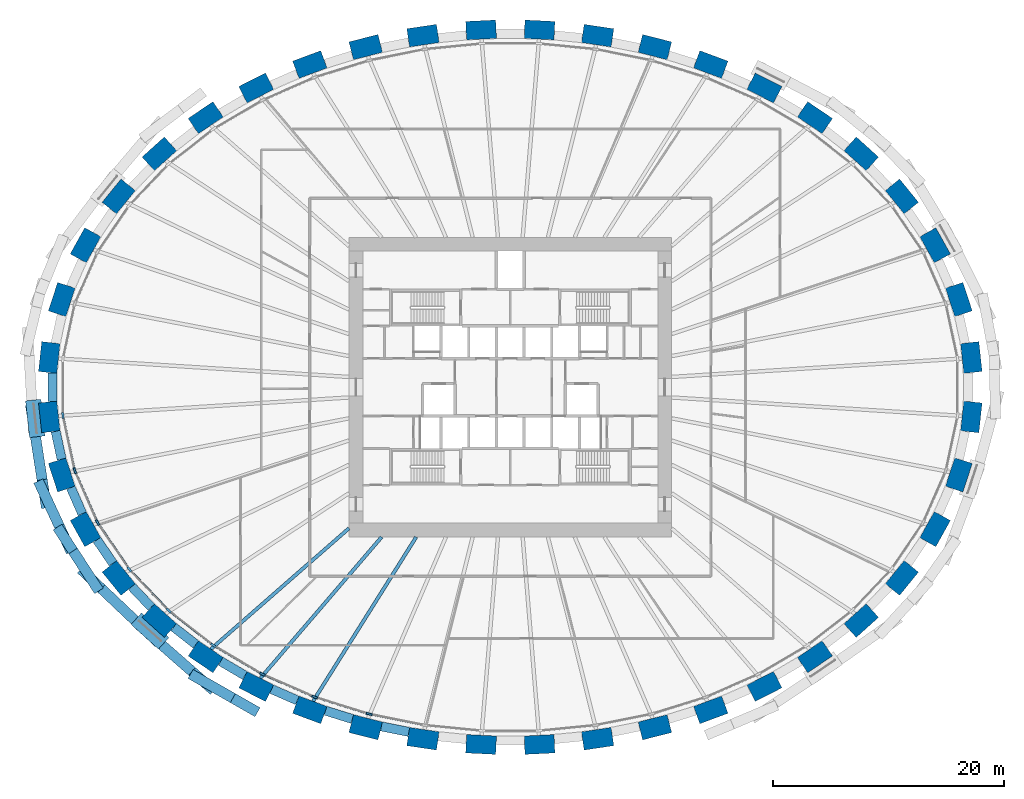
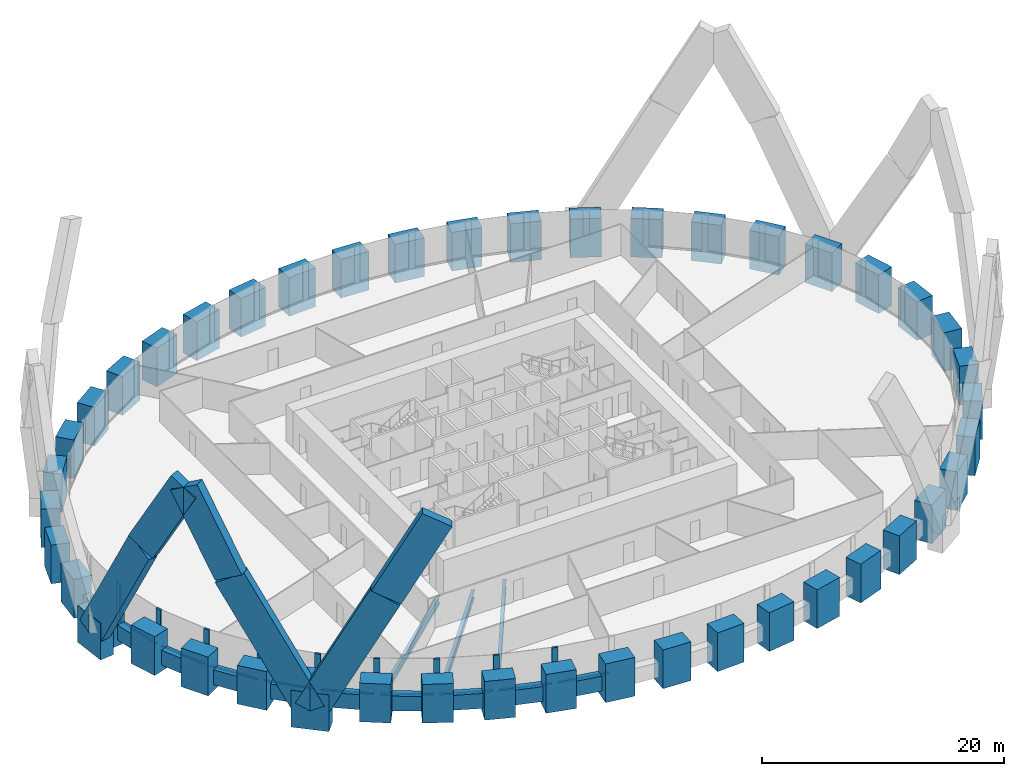
# One storey, part 1 of 12: 44 columns, 26 members, 13 beams, 1 element without a shape of its own.
"""IFC4 building model written with IfcOpenShell, lengths in metres."""

from ifc_helpers import new_model, si_unit, direction, frame, origin, origin_2d, place, context, subcontext, project, spatial, rectangle, i_section, extrude, source, transform, mapped, material, material_profile, profile_set, type_object, element, aggregate, save


model = new_model("IFC4")

# Units and contexts
model_context = context("Model", 3, precision=1e-05, world=origin(), true_north=direction((0.0, 1.0)))
body_context = subcontext(model_context, "Body", "Model", "MODEL_VIEW")
ifc_project = project(units=[si_unit("LENGTHUNIT", "METRE"), si_unit("AREAUNIT", "SQUARE_METRE"), si_unit("VOLUMEUNIT", "CUBIC_METRE"), si_unit("PLANEANGLEUNIT", "RADIAN"), si_unit("MASSUNIT", "GRAM", prefix="KILO")], contexts=[model_context])

# Site, building, storey
site_placement = place(None, origin())
site = spatial("IfcSite", under=ifc_project, at=site_placement, CompositionType="ELEMENT")
building_placement = place(site_placement, origin())
building = spatial("IfcBuilding", under=site, at=building_placement, Name="Embergate Tower", CompositionType="ELEMENT")
storey_placement = place(building_placement, frame((0.0, 0.0, 45.800048828125)))
storey = spatial("IfcBuildingStorey", under=building, at=storey_placement, Name="L07", CompositionType="ELEMENT", Elevation=45.800048828125)

# Columns
ifc_material_1 = material(Name="Concrete C70", Category="concrete")
ifc_material_profile_1 = material_profile(ifc_material_1, rectangle(XDim=1.60009765625, YDim=2.60009765625, at=origin_2d()), Name="RC 1600x2600")
ifc_profile_set_1 = profile_set([ifc_material_profile_1], Name="Concrete C70")
column_type = type_object("IfcColumnType", Name="Ring column RC 1600x2600 C70", PredefinedType="COLUMN", material=ifc_profile_set_1)
shared_shape_1 = source(origin(), body_context, "Body", "SweptSolid", [
    extrude(rectangle(XDim=1.60009765625, YDim=2.60009765625, at=origin_2d()), origin(), (0.0, 0.0, 1.0), 3.900146484375),
])
for number, where, z_axis, x_axis, name in (
    (1, (39.9951171875, 2.575927734375, -1.400146484375), (0.0, 0.0, 1.0), (0.99428589498, 0.106749983816, 0.0), "COL-L07-00"),
    (2, (38.912109375, 7.60693359375, -1.400146484375), (0.0, 0.0, 1.0), (0.950754033697, 0.309946394413, 0.0), "COL-L07-01"),
    (3, (36.85009765625, 12.31103515625, -1.400146484375), (0.0, 0.0, 1.0), (0.873491969053, 0.486838556403, 0.0), "COL-L07-02"),
    (4, (33.968994140625, 16.548095703125, -1.400146484375), (0.0, 0.0, 1.0), (0.775914301615, 0.630838328377, 0.0), "COL-L07-03"),
    (5, (30.444091796875, 20.2451171875, -1.400146484375), (0.0, 0.0, 1.0), (0.669208424634, 0.74307475021, 0.0), "COL-L07-04"),
    (6, (26.426025390625, 23.381103515625, -1.400146484375), (0.0, 0.0, 1.0), (0.560393279442, 0.828226643109, 0.0), "COL-L07-05"),
    (7, (22.0419921875, 25.958984375, -1.400146484375), (0.0, 0.0, 1.0), (0.452994952881, 0.891513080478, 0.0), "COL-L07-06"),
    (8, (17.388916015625, 27.992919921875, -1.400146484375), (0.0, 0.0, 1.0), (0.348343015724, 0.93736713373, 0.0), "COL-L07-07"),
    (9, (12.544921875, 29.501953125, -1.400146484375), (0.0, 0.0, 1.0), (0.246491603437, 0.969144926951, 0.0), "COL-L07-08"),
    (10, (7.574951171875, 30.498046875, -1.400146484375), (0.0, 0.0, 1.0), (0.146929011949, 0.989147039346, 0.0), "COL-L07-09"),
    (11, (2.532958984375, 30.993896484375, -1.400146484375), (0.0, 0.0, 1.0), (0.048814904854, 0.998807841912, 0.0), "COL-L07-10"),
    (12, (-2.532958984375, 30.993896484375, -1.400146484375), (0.0, 0.0, 1.0), (-0.048814904854, 0.998807841912, 0.0), "COL-L07-11"),
    (13, (-7.574951171875, 30.498046875, -1.400146484375), (0.0, 0.0, 1.0), (-0.146929011949, 0.989147039346, 0.0), "COL-L07-12"),
    (14, (-12.544921875, 29.501953125, -1.400146484375), (0.0, 0.0, 1.0), (-0.246491603437, 0.969144926951, 0.0), "COL-L07-13"),
    (15, (-17.388916015625, 27.992919921875, -1.400146484375), (0.0, 0.0, 1.0), (-0.348343015724, 0.93736713373, 0.0), "COL-L07-14"),
    (16, (-22.0419921875, 25.958984375, -1.400146484375), (0.0, 0.0, 1.0), (-0.452994952881, 0.891513080478, 0.0), "COL-L07-15"),
    (17, (-26.426025390625, 23.381103515625, -1.400146484375), (0.0, 0.0, 1.0), (-0.560393279442, 0.828226643109, 0.0), "COL-L07-16"),
    (18, (-30.444091796875, 20.2451171875, -1.400146484375), (0.0, 0.0, 1.0), (-0.669208424634, 0.74307475021, 0.0), "COL-L07-17"),
    (19, (-33.968994140625, 16.548095703125, -1.400146484375), (0.0, 0.0, 1.0), (-0.775914301615, 0.630838328377, 0.0), "COL-L07-18"),
    (20, (-36.85009765625, 12.31103515625, -1.400146484375), (0.0, 0.0, 1.0), (-0.873491969053, 0.486838556403, 0.0), "COL-L07-19"),
    (21, (-38.912109375, 7.60693359375, -1.400146484375), (0.0, 0.0, 1.0), (-0.950754033697, 0.309946394413, 0.0), "COL-L07-20"),
    (22, (-39.9951171875, 2.575927734375, -1.400146484375), (0.0, 0.0, 1.0), (-0.99428589498, 0.106749983816, 0.0), "COL-L07-21"),
    (23, (-39.9951171875, -2.575927734375, -1.400146484375), (0.0, 0.0, 1.0), (-0.99428589498, -0.106749983816, 0.0), "COL-L07-22"),
    (24, (-38.912109375, -7.60693359375, -1.400146484375), (0.0, 0.0, 1.0), (-0.950754033697, -0.309946394413, 0.0), "COL-L07-23"),
    (25, (-36.85009765625, -12.31103515625, -1.400146484375), (0.0, 0.0, 1.0), (-0.873491969053, -0.486838556403, 0.0), "COL-L07-24"),
    (26, (-33.968994140625, -16.548095703125, -1.400146484375), (0.0, 0.0, 1.0), (-0.775914301615, -0.630838328377, 0.0), "COL-L07-25"),
    (27, (-30.444091796875, -20.2451171875, -1.400146484375), (0.0, 0.0, 1.0), (-0.669208424634, -0.74307475021, 0.0), "COL-L07-26"),
    (28, (-26.426025390625, -23.381103515625, -1.400146484375), (0.0, 0.0, 1.0), (-0.560393279442, -0.828226643109, 0.0), "COL-L07-27"),
    (29, (-22.0419921875, -25.958984375, -1.400146484375), (0.0, 0.0, 1.0), (-0.452994952881, -0.891513080478, 0.0), "COL-L07-28"),
    (30, (-17.388916015625, -27.992919921875, -1.400146484375), (0.0, 0.0, 1.0), (-0.348343015724, -0.93736713373, 0.0), "COL-L07-29"),
    (31, (-12.544921875, -29.501953125, -1.400146484375), (0.0, 0.0, 1.0), (-0.246491603437, -0.969144926951, 0.0), "COL-L07-30"),
    (32, (-7.574951171875, -30.498046875, -1.400146484375), (0.0, 0.0, 1.0), (-0.146929011949, -0.989147039346, 0.0), "COL-L07-31"),
    (33, (-2.532958984375, -30.993896484375, -1.400146484375), (0.0, 0.0, 1.0), (-0.048814904854, -0.998807841912, 0.0), "COL-L07-32"),
    (34, (2.532958984375, -30.993896484375, -1.400146484375), (0.0, 0.0, 1.0), (0.048814904854, -0.998807841912, 0.0), "COL-L07-33"),
    (35, (7.574951171875, -30.498046875, -1.400146484375), (0.0, 0.0, 1.0), (0.146929011949, -0.989147039346, 0.0), "COL-L07-34"),
    (36, (12.544921875, -29.501953125, -1.400146484375), (0.0, 0.0, 1.0), (0.246491603437, -0.969144926951, 0.0), "COL-L07-35"),
    (37, (17.388916015625, -27.992919921875, -1.400146484375), (0.0, 0.0, 1.0), (0.348343015724, -0.93736713373, 0.0), "COL-L07-36"),
    (38, (22.0419921875, -25.958984375, -1.400146484375), (0.0, 0.0, 1.0), (0.452994952881, -0.891513080478, 0.0), "COL-L07-37"),
    (39, (26.426025390625, -23.381103515625, -1.400146484375), (0.0, 0.0, 1.0), (0.560393279442, -0.828226643109, 0.0), "COL-L07-38"),
    (40, (30.444091796875, -20.2451171875, -1.400146484375), (0.0, 0.0, 1.0), (0.669208424634, -0.74307475021, 0.0), "COL-L07-39"),
    (41, (33.968994140625, -16.548095703125, -1.400146484375), (0.0, 0.0, 1.0), (0.775914301615, -0.630838328377, 0.0), "COL-L07-40"),
    (42, (36.85009765625, -12.31103515625, -1.400146484375), (0.0, 0.0, 1.0), (0.873491969053, -0.486838556403, 0.0), "COL-L07-41"),
    (43, (38.912109375, -7.60693359375, -1.400146484375), (0.0, 0.0, 1.0), (0.950754033697, -0.309946394413, 0.0), "COL-L07-42"),
    (44, (39.9951171875, -2.575927734375, -1.400146484375), (0.0, 0.0, 1.0), (0.99428589498, -0.106749983816, 0.0), "COL-L07-43"),
):
    element("IfcColumn", number, at=place(storey_placement, frame(where, z_axis=z_axis, x_axis=x_axis)), inside=storey, type_object=column_type, Name=name, PredefinedType="COLUMN", context=body_context, shape_type="MappedRepresentation", body=[
        mapped(shared_shape_1, transform((0.0, 0.0, 0.0))),
    ])

# Beams
ifc_material_profile_2 = material_profile(ifc_material_1, rectangle(XDim=0.800048828125, YDim=1.5, at=origin_2d()), Name="RC 800x1500")
ifc_profile_set_2 = profile_set([ifc_material_profile_2], Name="Concrete C70")
beam_type_1 = type_object("IfcBeamType", Name="Spandrel beam RC 800x1500 C70", PredefinedType="BEAM", material=ifc_profile_set_2)
shared_shape_2 = source(origin(), body_context, "Body", "SweptSolid", [
    extrude(rectangle(XDim=0.800048828125, YDim=1.5, at=origin_2d()), origin(), (0.0, 0.0, 1.0), 2.431396484375),
])
beam_1_placement = place(storey_placement, frame((-11.18505859375, -29.428955078125, 0.0), z_axis=(0.980484010726, -0.196598842089, 0.0), x_axis=(0.196598842089, 0.980484010726, 0.0)))
element("IfcBeam", 45, at=beam_1_placement, inside=storey, type_object=beam_type_1, Name="SPN-L07-30", PredefinedType="BEAM", context=body_context, shape_type="MappedRepresentation", body=[
    mapped(shared_shape_2, transform((0.0, 0.0, 0.0))),
])
shared_shape_3 = source(origin(), body_context, "Body", "SweptSolid", [
    extrude(rectangle(XDim=0.800048828125, YDim=1.5, at=origin_2d()), origin(), (0.0, 0.0, 1.0), 2.43408203125),
])
beam_2_placement = place(storey_placement, frame((-16.028076171875, -28.06201171875, 0.0), z_axis=(0.954756195808, -0.297389654436, 0.0), x_axis=(0.297389654436, 0.954756195808, 0.0)))
element("IfcBeam", 46, at=beam_2_placement, inside=storey, type_object=beam_type_1, Name="SPN-L07-29", PredefinedType="BEAM", context=body_context, shape_type="MappedRepresentation", body=[
    mapped(shared_shape_3, transform((0.0, 0.0, 0.0))),
])
shared_shape_4 = source(origin(), body_context, "Body", "SweptSolid", [
    extrude(rectangle(XDim=0.800048828125, YDim=1.5, at=origin_2d()), origin(), (0.0, 0.0, 1.0), 2.47412109375),
])
beam_3_placement = place(storey_placement, frame((-39.444091796875, -3.823974609375, 0.0), z_axis=(0.210175960292, -0.977663574915, 0.0), x_axis=(0.977663574915, 0.210175960292, 0.0)))
element("IfcBeam", 47, at=beam_3_placement, inside=storey, type_object=beam_type_1, Name="SPN-L07-22", PredefinedType="BEAM", context=body_context, shape_type="MappedRepresentation", body=[
    mapped(shared_shape_4, transform((0.0, 0.0, 0.0))),
])
shared_shape_5 = source(origin(), body_context, "Body", "SweptSolid", [
    extrude(rectangle(XDim=0.800048828125, YDim=1.5, at=origin_2d()), origin(), (0.0, 0.0, 1.0), 2.470703125),
])
beam_4_placement = place(storey_placement, frame((-38.1240234375, -8.717041015625, 0.0), z_axis=(0.401466670854, -0.915873633311, 0.0), x_axis=(0.915873633311, 0.401466670854, 0.0)))
element("IfcBeam", 48, at=beam_4_placement, inside=storey, type_object=beam_type_1, Name="SPN-L07-23", PredefinedType="BEAM", context=body_context, shape_type="MappedRepresentation", body=[
    mapped(shared_shape_5, transform((0.0, 0.0, 0.0))),
])
shared_shape_6 = source(origin(), body_context, "Body", "SweptSolid", [
    extrude(rectangle(XDim=0.800048828125, YDim=1.5, at=origin_2d()), origin(), (0.0, 0.0, 1.0), 2.46240234375),
])
beam_5_placement = place(storey_placement, frame((-35.85595703125, -13.2451171875, 0.0), z_axis=(0.562478152622, -0.826812147844, 0.0), x_axis=(0.826812147844, 0.562478152622, 0.0)))
element("IfcBeam", 49, at=beam_5_placement, inside=storey, type_object=beam_type_1, Name="SPN-L07-24", PredefinedType="BEAM", context=body_context, shape_type="MappedRepresentation", body=[
    mapped(shared_shape_6, transform((0.0, 0.0, 0.0))),
])
shared_shape_7 = source(origin(), body_context, "Body", "SweptSolid", [
    extrude(rectangle(XDim=0.800048828125, YDim=1.5, at=origin_2d()), origin(), (0.0, 0.0, 1.0), 2.454345703125),
])
beam_6_placement = place(storey_placement, frame((-32.837890625, -17.303955078125, 0.0), z_axis=(0.690146821467, -0.723669375349, 0.0), x_axis=(0.723669375349, 0.690146821467, 0.0)))
element("IfcBeam", 50, at=beam_6_placement, inside=storey, type_object=beam_type_1, Name="SPN-L07-25", PredefinedType="BEAM", context=body_context, shape_type="MappedRepresentation", body=[
    mapped(shared_shape_7, transform((0.0, 0.0, 0.0))),
])
shared_shape_8 = source(origin(), body_context, "Body", "SweptSolid", [
    extrude(rectangle(XDim=0.800048828125, YDim=1.5, at=origin_2d()), origin(), (0.0, 0.0, 1.0), 2.446533203125),
])
beam_7_placement = place(storey_placement, frame((-29.202880859375, -20.81005859375, 0.0), z_axis=(0.788443262058, -0.615107488587, 0.0), x_axis=(0.615107488587, 0.788443262058, 0.0)))
element("IfcBeam", 51, at=beam_7_placement, inside=storey, type_object=beam_type_1, Name="SPN-L07-26", PredefinedType="BEAM", context=body_context, shape_type="MappedRepresentation", body=[
    mapped(shared_shape_8, transform((0.0, 0.0, 0.0))),
])
shared_shape_9 = source(origin(), body_context, "Body", "SweptSolid", [
    extrude(rectangle(XDim=0.800048828125, YDim=1.5, at=origin_2d()), origin(), (0.0, 0.0, 1.0), 2.440673828125),
])
beam_8_placement = place(storey_placement, frame((-25.1240234375, -23.777099609375, 0.0), z_axis=(0.86208332714, -0.506766550857, 0.0), x_axis=(0.506766550857, 0.86208332714, 0.0)))
element("IfcBeam", 52, at=beam_8_placement, inside=storey, type_object=beam_type_1, Name="SPN-L07-27", PredefinedType="BEAM", context=body_context, shape_type="MappedRepresentation", body=[
    mapped(shared_shape_9, transform((0.0, 0.0, 0.0))),
])
shared_shape_10 = source(origin(), body_context, "Body", "SweptSolid", [
    extrude(rectangle(XDim=0.800048828125, YDim=1.5, at=origin_2d()), origin(), (0.0, 0.0, 1.0), 2.437255859375),
])
beam_9_placement = place(storey_placement, frame((-20.7041015625, -26.196044921875, 0.0), z_axis=(0.916297523331, -0.400498250604, 0.0), x_axis=(0.400498250604, 0.916297523331, 0.0)))
element("IfcBeam", 53, at=beam_9_placement, inside=storey, type_object=beam_type_1, Name="SPN-L07-28", PredefinedType="BEAM", context=body_context, shape_type="MappedRepresentation", body=[
    mapped(shared_shape_10, transform((0.0, 0.0, 0.0))),
])
shared_shape_11 = source(origin(), body_context, "Body", "SweptSolid", [
    extrude(rectangle(XDim=0.800048828125, YDim=1.5, at=origin_2d()), origin(), (0.0, 0.0, 1.0), 2.47802734375),
])
beam_10_placement = place(storey_placement, frame((-39.719970703125, 1.239013671875, 0.0), z_axis=(0.0, -1.0, 0.0), x_axis=(1.0, 0.0, 0.0)))
element("IfcBeam", 54, at=beam_10_placement, inside=storey, type_object=beam_type_1, Name="SPN-L07-21", PredefinedType="BEAM", context=body_context, shape_type="MappedRepresentation", body=[
    mapped(shared_shape_11, transform((0.0, 0.0, 0.0))),
])
ifc_material_2 = material(Name="Steel Q355B", Category="steel")
ifc_material_profile_3 = material_profile(ifc_material_2, i_section(OverallWidth=0.300048828125, OverallDepth=0.800048828125, WebThickness=0.013916015625, FlangeThickness=0.02587890625, FilletRadius=0.028076171875, at=origin_2d()), Name="HN 800x300x14x26")
ifc_profile_set_3 = profile_set([ifc_material_profile_3], Name="Steel Q355 grade B")
beam_type_2 = type_object("IfcBeamType", Name="Radial girder HN 800x300x14x26", PredefinedType="BEAM", material=ifc_profile_set_3)
shared_shape_12 = source(origin(), body_context, "Body", "SweptSolid", [
    extrude(i_section(OverallWidth=0.300048828125, OverallDepth=0.800048828125, WebThickness=0.013916015625, FlangeThickness=0.02587890625, FilletRadius=0.028076171875, at=origin_2d()), origin(), (0.0, 0.0, 1.0), 15.91162109375),
])
beam_11_placement = place(storey_placement, frame((-25.97802734375, -22.718017578125, -0.60009765625), z_axis=(0.752783862885, 0.658267769057, 0.0), x_axis=(-0.658267769057, 0.752783862885, 0.0)))
element("IfcBeam", 55, at=beam_11_placement, inside=storey, type_object=beam_type_2, Name="GIR-L07-27", PredefinedType="BEAM", context=body_context, shape_type="MappedRepresentation", body=[
    mapped(shared_shape_12, transform((0.0, 0.0, 0.0))),
])
shared_shape_13 = source(origin(), body_context, "Body", "SweptSolid", [
    extrude(i_section(OverallWidth=0.300048828125, OverallDepth=0.800048828125, WebThickness=0.013916015625, FlangeThickness=0.02587890625, FilletRadius=0.028076171875, at=origin_2d()), origin(), (0.0, 0.0, 1.0), 16.1416015625),
])
beam_12_placement = place(storey_placement, frame((-21.679931640625, -25.24609375, -0.60009765625), z_axis=(0.651477424903, 0.758668020178, 0.0), x_axis=(-0.758668020178, 0.651477424903, 0.0)))
element("IfcBeam", 56, at=beam_12_placement, inside=storey, type_object=beam_type_2, Name="GIR-L07-28", PredefinedType="BEAM", context=body_context, shape_type="MappedRepresentation", body=[
    mapped(shared_shape_13, transform((0.0, 0.0, 0.0))),
])
shared_shape_14 = source(origin(), body_context, "Body", "SweptSolid", [
    extrude(i_section(OverallWidth=0.300048828125, OverallDepth=0.800048828125, WebThickness=0.013916015625, FlangeThickness=0.02587890625, FilletRadius=0.028076171875, at=origin_2d()), origin(), (0.0, 0.0, 1.0), 16.81884765625),
])
beam_13_placement = place(storey_placement, frame((-17.110107421875, -27.242919921875, -0.60009765625), z_axis=(0.531846576707, 0.846840728145, 0.0), x_axis=(-0.846840728145, 0.531846576707, 0.0)))
element("IfcBeam", 57, at=beam_13_placement, inside=storey, type_object=beam_type_2, Name="GIR-L07-29", PredefinedType="BEAM", context=body_context, shape_type="MappedRepresentation", body=[
    mapped(shared_shape_14, transform((0.0, 0.0, 0.0))),
])

# Members
ifc_material_profile_4 = material_profile(ifc_material_1, rectangle(XDim=1.35009765625, YDim=3.199951171875, at=origin_2d()), Name="RC 1350x3200")
ifc_profile_set_4 = profile_set([ifc_material_profile_4], Name="Concrete C70")
member_type_1 = type_object("IfcMemberType", Name="Lattice node block RC 1350x3200", PredefinedType="POST", material=ifc_profile_set_4)
shared_shape_15 = source(origin(), body_context, "Body", "SweptSolid", [
    extrude(rectangle(XDim=1.35009765625, YDim=3.199951171875, at=origin_2d()), origin(), (0.0, 0.0, 1.0), 3.699951171875),
])
for number, where, z_axis, x_axis, name in (
    (58, (-41.212890625, -2.7060546875, -1.85009765625), (0.0, 0.0, 1.0), (-0.99428589498, -0.106749983816, 0.0), "NOD-L07-22"),
    (59, (-31.262939453125, -21.155029296875, -1.85009765625), (0.0, 0.0, 1.0), (-0.669208424634, -0.74307475021, 0.0), "NOD-L07-26"),
):
    element("IfcMember", number, at=place(storey_placement, frame(where, z_axis=z_axis, x_axis=x_axis)), inside=storey, type_object=member_type_1, Name=name, PredefinedType="POST", context=body_context, shape_type="MappedRepresentation", body=[
        mapped(shared_shape_15, transform((0.0, 0.0, 0.0))),
    ])
ifc_material_profile_5 = material_profile(ifc_material_1, rectangle(XDim=0.89990234375, YDim=2.800048828125, at=origin_2d()), Name="RC 900x2800")
ifc_profile_set_5 = profile_set([ifc_material_profile_5], Name="Concrete C70")
member_type_2 = type_object("IfcMemberType", Name="Lattice diagonal terracotta-faced RC 900x2800", PredefinedType="BRACE", material=ifc_profile_set_5)
shared_shape_16 = source(origin(), body_context, "Body", "SweptSolid", [
    extrude(rectangle(XDim=0.89990234375, YDim=2.800048828125, at=origin_2d()), origin(), (0.0, 0.0, 1.0), 13.9580078125),
])
member_1_placement = place(storey_placement, frame((-41.43701171875, -2.72998046875, 0.0), z_axis=(0.072500535401, -0.467116839186, 0.881218208456), x_axis=(0.988168489426, 0.153372215557, 0.0)))
element("IfcMember", 60, at=member_1_placement, inside=storey, type_object=member_type_2, Name="BRC-L07-22-24-S00", PredefinedType="BRACE", context=body_context, shape_type="MappedRepresentation", body=[
    mapped(shared_shape_16, transform((0.0, 0.0, 0.0))),
])
shared_shape_17 = source(origin(), body_context, "Body", "SweptSolid", [
    extrude(rectangle(XDim=0.89990234375, YDim=2.800048828125, at=origin_2d()), origin(), (0.0, 0.0, 1.0), 8.916259765625),
])
member_2_placement = place(storey_placement, frame((-40.425048828125, -9.25, 12.300048828125), z_axis=(0.203689108985, -0.439633328925, 0.874776133065), x_axis=(0.907344781502, 0.420387258943, 0.0)))
element("IfcMember", 61, at=member_2_placement, inside=storey, type_object=member_type_2, Name="BRC-L07-22-24-S01", PredefinedType="BRACE", context=body_context, shape_type="MappedRepresentation", body=[
    mapped(shared_shape_17, transform((0.0, 0.0, 0.0))),
])
shared_shape_18 = source(origin(), body_context, "Body", "SweptSolid", [
    extrude(rectangle(XDim=0.89990234375, YDim=2.800048828125, at=origin_2d()), origin(), (0.0, 0.0, 1.0), 14.0615234375),
])
member_3_placement = place(storey_placement, frame((-31.4140625, -21.322021484375, 0.0), z_axis=(-0.351654197365, 0.33345860149, 0.874725492122), x_axis=(-0.688084427762, -0.725630636254, 0.0)))
element("IfcMember", 62, at=member_3_placement, inside=storey, type_object=member_type_2, Name="BRC-L07-26-24-S00", PredefinedType="BRACE", context=body_context, shape_type="MappedRepresentation", body=[
    mapped(shared_shape_18, transform((0.0, 0.0, 0.0))),
])
shared_shape_19 = source(origin(), body_context, "Body", "SweptSolid", [
    extrude(rectangle(XDim=0.89990234375, YDim=2.800048828125, at=origin_2d()), origin(), (0.0, 0.0, 1.0), 8.82568359375),
])
member_4_placement = place(storey_placement, frame((-36.35888671875, -16.633056640625, 12.300048828125), z_axis=(-0.254937653504, 0.392392644852, 0.883761735476), x_axis=(-0.838558400896, -0.544811718199, 0.0)))
element("IfcMember", 63, at=member_4_placement, inside=storey, type_object=member_type_2, Name="BRC-L07-26-24-S01", PredefinedType="BRACE", context=body_context, shape_type="MappedRepresentation", body=[
    mapped(shared_shape_19, transform((0.0, 0.0, 0.0))),
])
shared_shape_20 = source(origin(), body_context, "Body", "SweptSolid", [
    extrude(rectangle(XDim=0.89990234375, YDim=2.800048828125, at=origin_2d()), origin(), (0.0, 0.0, 1.0), 13.826416015625),
])
member_5_placement = place(storey_placement, frame((-31.4140625, -21.322021484375, 0.0), z_axis=(0.343260505489, -0.301306443707, 0.889599152626), x_axis=(0.659686160863, 0.75154119592, 0.0)))
element("IfcMember", 64, at=member_5_placement, inside=storey, type_object=member_type_2, Name="BRC-L07-26-28-S00", PredefinedType="BRACE", context=body_context, shape_type="MappedRepresentation", body=[
    mapped(shared_shape_20, transform((0.0, 0.0, 0.0))),
])
shared_shape_21 = source(origin(), body_context, "Body", "SweptSolid", [
    extrude(rectangle(XDim=0.89990234375, YDim=2.800048828125, at=origin_2d()), origin(), (0.0, 0.0, 1.0), 8.870849609375),
])
member_6_placement = place(storey_placement, frame((-26.66796875, -25.488037109375, 12.300048828125), z_axis=(0.413710739449, -0.236056214227, 0.879272931341), x_axis=(0.49558503168, 0.868559425932, 0.0)))
element("IfcMember", 65, at=member_6_placement, inside=storey, type_object=member_type_2, Name="BRC-L07-26-28-S01", PredefinedType="BRACE", context=body_context, shape_type="MappedRepresentation", body=[
    mapped(shared_shape_21, transform((0.0, 0.0, 0.0))),
])

# Curtain wall, members
ifc_material_3 = material(Name="Aluminium and glass", Category="aluminium")
curtain_wall_type = type_object("IfcCurtainWallType", Name="Recessed office glazing", PredefinedType="NOTDEFINED", material=ifc_material_3)
curtain_wall_placement = place(storey_placement, origin())
curtain_wall = element("IfcCurtainWall", 66, at=curtain_wall_placement, inside=storey, type_object=curtain_wall_type, Name="Recessed office glazing ring", ObjectType="RECESSED OFFICE GLAZING", PredefinedType="USERDEFINED")
ifc_material_4 = material(Name="Aluminium, thermally broken", Category="aluminium")
ifc_material_profile_6 = material_profile(ifc_material_4, rectangle(XDim=0.179931640625, YDim=0.52001953125, at=origin_2d()), Name="AL 520x180")
ifc_profile_set_6 = profile_set([ifc_material_profile_6], Name="Aluminium, thermally broken")
member_type_3 = type_object("IfcMemberType", Name="Office mullion", PredefinedType="MULLION", material=ifc_profile_set_6)
shared_shape_22 = source(origin(), body_context, "Body", "SweptSolid", [
    extrude(rectangle(XDim=0.179931640625, YDim=0.52001953125, at=origin_2d()), origin(), (0.0, 0.0, 1.0), 3.699951171875),
])
member_7_placement = place(storey_placement, frame((-38.811767578125, -2.448486328125, 0.0), z_axis=(0.0, 0.0, 1.0), x_axis=(0.994385139431, 0.105821521816, 0.0)))
member_7 = element("IfcMember", 67, at=member_7_placement, type_object=member_type_3, Name="CW mullion 23", PredefinedType="MULLION", context=body_context, shape_type="MappedRepresentation", body=[
    mapped(shared_shape_22, transform((0.0, 0.0, 0.0))),
])
member_8_placement = place(storey_placement, frame((-37.781005859375, -7.238525390625, 0.0), z_axis=(0.0, 0.0, 1.0), x_axis=(0.95149940886, 0.307650572791, 0.0)))
member_8 = element("IfcMember", 68, at=member_8_placement, type_object=member_type_3, Name="CW mullion 24", PredefinedType="MULLION", context=body_context, shape_type="MappedRepresentation", body=[
    mapped(shared_shape_22, transform((0.0, 0.0, 0.0))),
])
member_9_placement = place(storey_placement, frame((-35.81005859375, -11.732177734375, 0.0), z_axis=(0.0, 0.0, 1.0), x_axis=(0.875004430664, 0.484114910242, 0.0)))
member_9 = element("IfcMember", 69, at=member_9_placement, type_object=member_type_3, Name="CW mullion 25", PredefinedType="MULLION", context=body_context, shape_type="MappedRepresentation", body=[
    mapped(shared_shape_22, transform((0.0, 0.0, 0.0))),
])
member_10_placement = place(storey_placement, frame((-33.0458984375, -15.796875, 0.0), z_axis=(0.0, 0.0, 1.0), x_axis=(0.777875854755, 0.628417977615, 0.0)))
member_10 = element("IfcMember", 70, at=member_10_placement, type_object=member_type_3, Name="CW mullion 26", PredefinedType="MULLION", context=body_context, shape_type="MappedRepresentation", body=[
    mapped(shared_shape_22, transform((0.0, 0.0, 0.0))),
])
member_11_placement = place(storey_placement, frame((-29.647216796875, -19.360595703125, 0.0), z_axis=(0.0, 0.0, 1.0), x_axis=(0.671229121411, 0.741249935292, 0.0)))
member_11 = element("IfcMember", 71, at=member_11_placement, type_object=member_type_3, Name="CW mullion 27", PredefinedType="MULLION", context=body_context, shape_type="MappedRepresentation", body=[
    mapped(shared_shape_22, transform((0.0, 0.0, 0.0))),
])
member_12_placement = place(storey_placement, frame((-25.759521484375, -22.39501953125, 0.0), z_axis=(0.0, 0.0, 1.0), x_axis=(0.562217618544, 0.826989328467, 0.0)))
member_12 = element("IfcMember", 72, at=member_12_placement, type_object=member_type_3, Name="CW mullion 28", PredefinedType="MULLION", context=body_context, shape_type="MappedRepresentation", body=[
    mapped(shared_shape_22, transform((0.0, 0.0, 0.0))),
])
member_13_placement = place(storey_placement, frame((-21.502685546875, -24.897705078125, 0.0), z_axis=(0.0, 0.0, 1.0), x_axis=(0.454511380526, 0.890740930334, 0.0)))
member_13 = element("IfcMember", 73, at=member_13_placement, type_object=member_type_3, Name="CW mullion 29", PredefinedType="MULLION", context=body_context, shape_type="MappedRepresentation", body=[
    mapped(shared_shape_22, transform((0.0, 0.0, 0.0))),
])
member_14_placement = place(storey_placement, frame((-16.97412109375, -26.877685546875, 0.0), z_axis=(0.0, 0.0, 1.0), x_axis=(0.349502682851, 0.936935363128, 0.0)))
member_14 = element("IfcMember", 74, at=member_14_placement, type_object=member_type_3, Name="CW mullion 30", PredefinedType="MULLION", context=body_context, shape_type="MappedRepresentation", body=[
    mapped(shared_shape_22, transform((0.0, 0.0, 0.0))),
])
member_15_placement = place(storey_placement, frame((-12.251953125, -28.348388671875, 0.0), z_axis=(0.0, 0.0, 1.0), x_axis=(0.24731188137, 0.968935928394, 0.0)))
member_15 = element("IfcMember", 75, at=member_15_placement, type_object=member_type_3, Name="CW mullion 31", PredefinedType="MULLION", context=body_context, shape_type="MappedRepresentation", body=[
    mapped(shared_shape_22, transform((0.0, 0.0, 0.0))),
])
ifc_material_profile_7 = material_profile(ifc_material_4, rectangle(XDim=0.179931640625, YDim=0.14990234375, at=origin_2d()), Name="AL 150x180")
ifc_profile_set_7 = profile_set([ifc_material_profile_7], Name="Aluminium, thermally broken")
member_type_4 = type_object("IfcMemberType", Name="Office sill transom", PredefinedType="USERDEFINED", material=ifc_profile_set_7)
shared_shape_23 = source(origin(), body_context, "Body", "SweptSolid", [
    extrude(rectangle(XDim=0.179931640625, YDim=0.14990234375, at=origin_2d()), origin(), (0.0, 0.0, 1.0), 4.379638671875),
])
member_16_placement = place(storey_placement, frame((-38.757080078125, -2.70263671875, 0.074951171875), z_axis=(0.210374128921, -0.977620952047, 0.0), x_axis=(0.977620952047, 0.210374128921, 0.0)))
member_16 = element("IfcMember", 76, at=member_16_placement, type_object=member_type_4, Name="CW transom 23.1", ObjectType="TRANSOM", PredefinedType="USERDEFINED", context=body_context, shape_type="MappedRepresentation", body=[
    mapped(shared_shape_23, transform((0.0, 0.0, 0.0))),
])
shared_shape_24 = source(origin(), body_context, "Body", "SweptSolid", [
    extrude(rectangle(XDim=0.179931640625, YDim=0.14990234375, at=origin_2d()), origin(), (0.0, 0.0, 1.0), 4.38671875),
])
member_17_placement = place(storey_placement, frame((-37.676513671875, -7.4765625, 0.074951171875), z_axis=(0.401656581877, -0.915790363694, 0.0), x_axis=(0.915790363694, 0.401656581877, 0.0)))
member_17 = element("IfcMember", 77, at=member_17_placement, type_object=member_type_4, Name="CW transom 24.1", ObjectType="TRANSOM", PredefinedType="USERDEFINED", context=body_context, shape_type="MappedRepresentation", body=[
    mapped(shared_shape_24, transform((0.0, 0.0, 0.0))),
])
shared_shape_25 = source(origin(), body_context, "Body", "SweptSolid", [
    extrude(rectangle(XDim=0.179931640625, YDim=0.14990234375, at=origin_2d()), origin(), (0.0, 0.0, 1.0), 4.395751953125),
])
member_18_placement = place(storey_placement, frame((-35.663818359375, -11.947021484375, 0.074951171875), z_axis=(0.562354076768, -0.826896542708, 0.0), x_axis=(0.826896542708, 0.562354076768, 0.0)))
member_18 = element("IfcMember", 78, at=member_18_placement, type_object=member_type_4, Name="CW transom 25.1", ObjectType="TRANSOM", PredefinedType="USERDEFINED", context=body_context, shape_type="MappedRepresentation", body=[
    mapped(shared_shape_25, transform((0.0, 0.0, 0.0))),
])
shared_shape_26 = source(origin(), body_context, "Body", "SweptSolid", [
    extrude(rectangle(XDim=0.179931640625, YDim=0.14990234375, at=origin_2d()), origin(), (0.0, 0.0, 1.0), 4.404296875),
])
member_19_placement = place(storey_placement, frame((-32.866455078125, -15.985107421875, 0.074951171875), z_axis=(0.690139479121, -0.723676377504, 0.0), x_axis=(0.723676377504, 0.690139479121, 0.0)))
member_19 = element("IfcMember", 79, at=member_19_placement, type_object=member_type_4, Name="CW transom 26.1", ObjectType="TRANSOM", PredefinedType="USERDEFINED", context=body_context, shape_type="MappedRepresentation", body=[
    mapped(shared_shape_26, transform((0.0, 0.0, 0.0))),
])
shared_shape_27 = source(origin(), body_context, "Body", "SweptSolid", [
    extrude(rectangle(XDim=0.179931640625, YDim=0.14990234375, at=origin_2d()), origin(), (0.0, 0.0, 1.0), 4.412109375),
])
member_20_placement = place(storey_placement, frame((-29.4423828125, -19.5205078125, 0.074951171875), z_axis=(0.788311201142, -0.615276726485, 0.0), x_axis=(0.615276726485, 0.788311201142, 0.0)))
member_20 = element("IfcMember", 80, at=member_20_placement, type_object=member_type_4, Name="CW transom 27.1", ObjectType="TRANSOM", PredefinedType="USERDEFINED", context=body_context, shape_type="MappedRepresentation", body=[
    mapped(shared_shape_27, transform((0.0, 0.0, 0.0))),
])
shared_shape_28 = source(origin(), body_context, "Body", "SweptSolid", [
    extrude(rectangle(XDim=0.179931640625, YDim=0.14990234375, at=origin_2d()), origin(), (0.0, 0.0, 1.0), 4.417724609375),
])
member_21_placement = place(storey_placement, frame((-25.53515625, -22.52685546875, 0.074951171875), z_axis=(0.862052105816, -0.506819659109, 0.0), x_axis=(0.506819659109, 0.862052105816, 0.0)))
member_21 = element("IfcMember", 81, at=member_21_placement, type_object=member_type_4, Name="CW transom 28.1", ObjectType="TRANSOM", PredefinedType="USERDEFINED", context=body_context, shape_type="MappedRepresentation", body=[
    mapped(shared_shape_28, transform((0.0, 0.0, 0.0))),
])
shared_shape_29 = source(origin(), body_context, "Body", "SweptSolid", [
    extrude(rectangle(XDim=0.179931640625, YDim=0.14990234375, at=origin_2d()), origin(), (0.0, 0.0, 1.0), 4.422607421875),
])
member_22_placement = place(storey_placement, frame((-21.264404296875, -25.001708984375, 0.074951171875), z_axis=(0.916221938908, -0.400671135301, 0.0), x_axis=(0.400671135301, 0.916221938908, 0.0)))
member_22 = element("IfcMember", 82, at=member_22_placement, type_object=member_type_4, Name="CW transom 29.1", ObjectType="TRANSOM", PredefinedType="USERDEFINED", context=body_context, shape_type="MappedRepresentation", body=[
    mapped(shared_shape_29, transform((0.0, 0.0, 0.0))),
])
shared_shape_30 = source(origin(), body_context, "Body", "SweptSolid", [
    extrude(rectangle(XDim=0.179931640625, YDim=0.14990234375, at=origin_2d()), origin(), (0.0, 0.0, 1.0), 4.42578125),
])
member_23_placement = place(storey_placement, frame((-16.725830078125, -26.955078125, 0.074951171875), z_axis=(0.954773981252, -0.297332549049, 0.0), x_axis=(0.297332549049, 0.954773981252, 0.0)))
member_23 = element("IfcMember", 83, at=member_23_placement, type_object=member_type_4, Name="CW transom 30.1", ObjectType="TRANSOM", PredefinedType="USERDEFINED", context=body_context, shape_type="MappedRepresentation", body=[
    mapped(shared_shape_30, transform((0.0, 0.0, 0.0))),
])
shared_shape_31 = source(origin(), body_context, "Body", "SweptSolid", [
    extrude(rectangle(XDim=0.179931640625, YDim=0.14990234375, at=origin_2d()), origin(), (0.0, 0.0, 1.0), 4.427978515625),
])
member_24_placement = place(storey_placement, frame((-11.9970703125, -28.3994140625, 0.074951171875), z_axis=(0.980470250175, -0.196667456693, 0.0), x_axis=(0.196667456693, 0.980470250175, 0.0)))
member_24 = element("IfcMember", 84, at=member_24_placement, type_object=member_type_4, Name="CW transom 31.1", ObjectType="TRANSOM", PredefinedType="USERDEFINED", context=body_context, shape_type="MappedRepresentation", body=[
    mapped(shared_shape_31, transform((0.0, 0.0, 0.0))),
])
aggregate(curtain_wall, [member_7, member_8, member_9, member_10, member_11, member_12, member_13, member_14, member_15, member_16, member_17, member_18, member_19, member_20, member_21, member_22, member_23, member_24])

save(model, "model.ifc")
